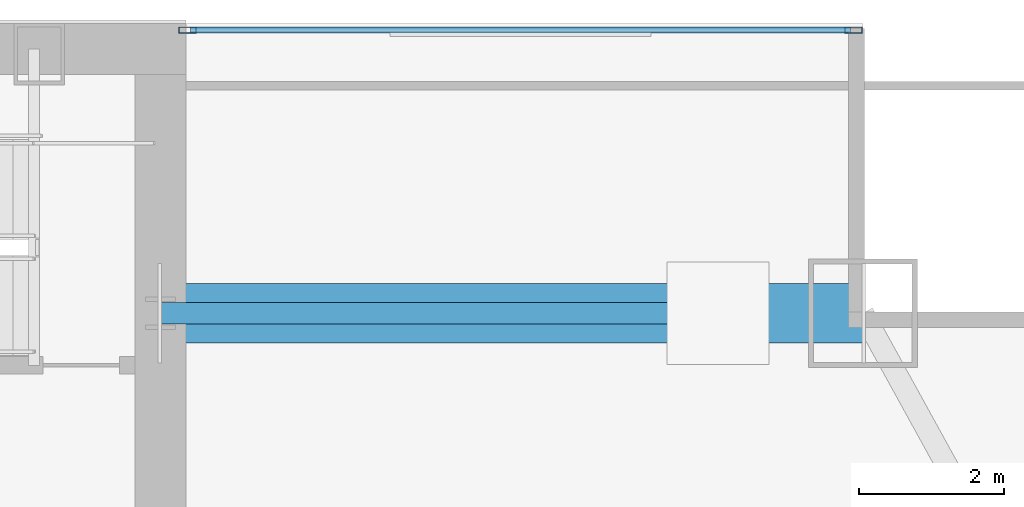
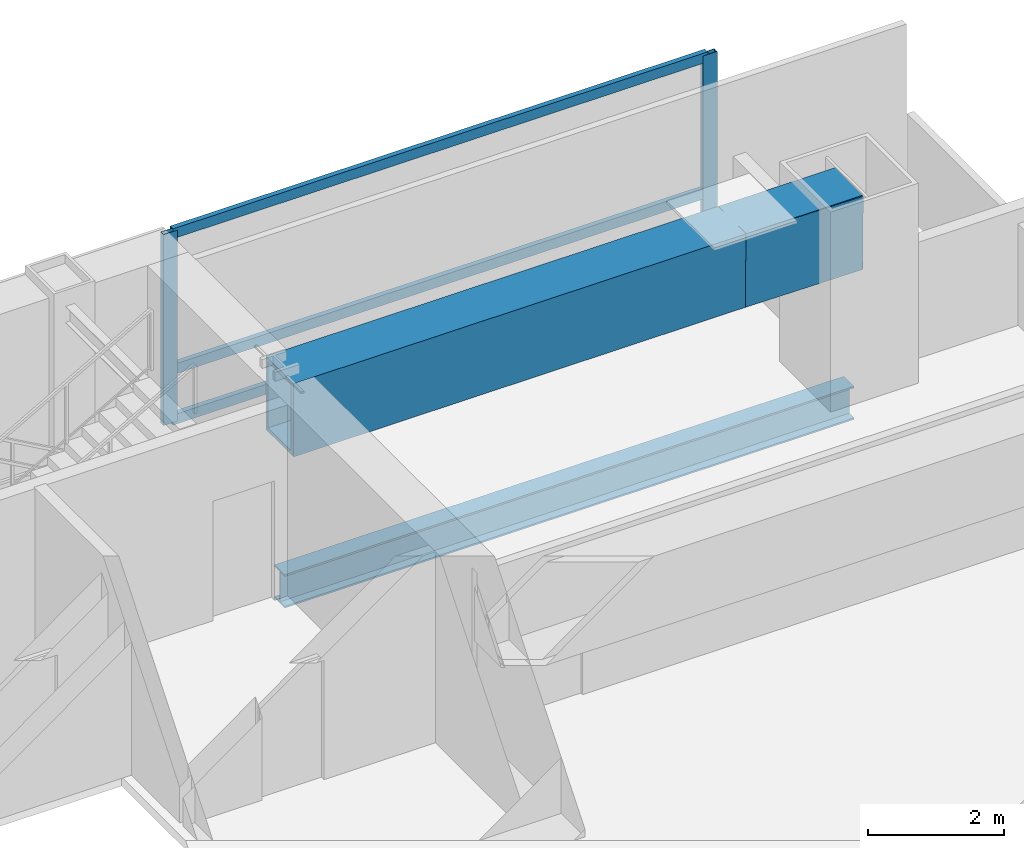
# One storey, part 18 of 30: 5 members, 3 beams, 1 element without a shape of its own.
"""IFC4 building model written with IfcOpenShell, lengths in metres."""

from ifc_helpers import new_model, si_unit, direction, frame, origin, origin_2d, place, context, subcontext, project, spatial, hollow_rectangle, i_section, extrude, material, material_profile, profile_set, type_object, element, aggregate, save


model = new_model("IFC4")

# Units and contexts
model_context = context("Model", 3, precision=1e-05, world=origin(), true_north=direction((0.0, 1.0)))
body_context = subcontext(model_context, "Body", "Model", "MODEL_VIEW")
ifc_project = project(units=[si_unit("LENGTHUNIT", "METRE"), si_unit("AREAUNIT", "SQUARE_METRE"), si_unit("VOLUMEUNIT", "CUBIC_METRE"), si_unit("PLANEANGLEUNIT", "RADIAN"), si_unit("MASSUNIT", "GRAM", prefix="KILO")], contexts=[model_context])

# Site, building, storey
site_placement = place(None, origin())
site = spatial("IfcSite", under=ifc_project, at=site_placement, CompositionType="ELEMENT")
building_placement = place(site_placement, origin())
building = spatial("IfcBuilding", under=site, at=building_placement, Name="Khoronbel Lancet Exchange", CompositionType="ELEMENT")
storey_placement = place(building_placement, frame((0.0, 0.0, 132.60009765625)))
storey = spatial("IfcBuildingStorey", under=building, at=storey_placement, Name="L32", CompositionType="ELEMENT", Elevation=132.60009765625)

# Beams
ifc_material_1 = material(Name="Steel S355", Category="steel")
ifc_material_profile_1 = material_profile(ifc_material_1, i_section(OverallWidth=0.300048828125, OverallDepth=0.60009765625, WebThickness=0.015380859375, FlangeThickness=0.030029296875, at=origin_2d()), Name="HEB 600")
ifc_profile_set_1 = profile_set([ifc_material_profile_1], Name="Steel S355")
beam_type_1 = type_object("IfcBeamType", Name="BM-BSP2", PredefinedType="SPANDREL", material=ifc_profile_set_1)
beam_1_placement = place(storey_placement, frame((66.050048828125, 49.699951171875, -0.460205078125), z_axis=(-1.0, 0.0, 0.0), x_axis=(0.0, -1.0, 0.0)))
element("IfcBeam", 1, at=beam_1_placement, inside=storey, type_object=beam_type_1, Name="Level L32 north flank tie spandrel SP23", PredefinedType="SPANDREL", context=body_context, shape_type="SweptSolid", body=[
    extrude(i_section(OverallWidth=0.300048828125, OverallDepth=0.60009765625, WebThickness=0.015380859375, FlangeThickness=0.030029296875, at=origin_2d()), origin(), (0.0, 0.0, 1.0), 9.699951171875),
])
ifc_material_2 = material(Name="Steel S460", Category="steel")
ifc_material_profile_2 = material_profile(ifc_material_2, hollow_rectangle(XDim=0.820068359375, YDim=1.320068359375, WallThickness=0.070068359375, at=origin_2d()), Name="BOX 820x1320x70")
ifc_profile_set_2 = profile_set([ifc_material_profile_2], Name="Steel S460")
beam_type_2 = type_object("IfcBeamType", Name="BM-TG4", PredefinedType="USERDEFINED", material=ifc_profile_set_2)
beam_2_placement = place(storey_placement, frame((66.050048828125, 49.699951171875, 2.760009765625), z_axis=(-0.999951120325, 0.0, 0.009887212005), x_axis=(0.0, -1.0, 0.0)))
element("IfcBeam", 2, at=beam_2_placement, inside=storey, type_object=beam_type_2, Name="Setback transfer knee-brace girder L32-MC-NE", ObjectType="TRANSFER GIRDER", PredefinedType="USERDEFINED", context=body_context, shape_type="SweptSolid", body=[
    extrude(hollow_rectangle(XDim=0.820068359375, YDim=1.320068359375, WallThickness=0.070068359375, at=origin_2d()), origin(), (0.0, 0.0, 1.0), 2.0),
])
beam_3_placement = place(storey_placement, frame((56.35009765625, 49.699951171875, 2.77978515625), z_axis=(1.0, 0.0, 0.0), x_axis=(0.0, 1.0, 0.0)))
element("IfcBeam", 3, at=beam_3_placement, inside=storey, type_object=beam_type_2, Name="Corner mega-column setback transfer girder L32-NE", ObjectType="TRANSFER GIRDER", PredefinedType="USERDEFINED", context=body_context, shape_type="SweptSolid", body=[
    extrude(hollow_rectangle(XDim=0.820068359375, YDim=1.320068359375, WallThickness=0.070068359375, at=origin_2d()), origin(), (0.0, 0.0, 1.0), 9.699951171875),
])

# Curtain wall, members
ifc_material_3 = material(Name="Low-E Solar Control Insulating Glass", Category="glass")
curtain_wall_type = type_object("IfcCurtainWallType", Name="CW-2", PredefinedType="NOTDEFINED", material=ifc_material_3)
curtain_wall_placement = place(storey_placement, origin())
curtain_wall = element("IfcCurtainWall", 4, at=curtain_wall_placement, inside=storey, type_object=curtain_wall_type, Name="Unitised curtain wall CW-L32-NEFLK", PredefinedType="NOTDEFINED")
ifc_material_4 = material(Name="Bronze-Anodised Aluminium 6063-T6", Category="aluminium")
ifc_material_profile_3 = material_profile(ifc_material_4, hollow_rectangle(XDim=0.0849609375, YDim=0.239990234375, WallThickness=0.006103515625, at=origin_2d()), Name="ALU MULLION 85x240")
ifc_profile_set_3 = profile_set([ifc_material_profile_3], Name="Bronze-Anodised Aluminium 6063-T6")
member_type_1 = type_object("IfcMemberType", Name="MEM-CWM1", PredefinedType="MULLION", material=ifc_profile_set_3)
member_1_placement = place(storey_placement, frame((65.91748046875, 53.610107421875, 0.0), z_axis=(0.0, 0.0, 1.0), x_axis=(0.0, -1.0, 0.0)))
member_1 = element("IfcMember", 5, at=member_1_placement, type_object=member_type_1, Name="CW2 mullion 1", PredefinedType="MULLION", context=body_context, shape_type="SweptSolid", body=[
    extrude(hollow_rectangle(XDim=0.0849609375, YDim=0.239990234375, WallThickness=0.006103515625, at=origin_2d()), origin(), (0.0, 0.0, 1.0), 3.43994140625),
])
member_2_placement = place(storey_placement, frame((56.722412109375, 53.610107421875, 0.0), z_axis=(0.0, 0.0, 1.0), x_axis=(0.0, -1.0, 0.0)))
member_2 = element("IfcMember", 6, at=member_2_placement, type_object=member_type_1, Name="CW2 mullion 2", PredefinedType="MULLION", context=body_context, shape_type="SweptSolid", body=[
    extrude(hollow_rectangle(XDim=0.0849609375, YDim=0.239990234375, WallThickness=0.006103515625, at=origin_2d()), origin(), (0.0, 0.0, 1.0), 3.43994140625),
])
ifc_material_profile_4 = material_profile(ifc_material_4, hollow_rectangle(XDim=0.0849609375, YDim=0.179931640625, WallThickness=0.0048828125, at=origin_2d()), Name="ALU TRANSOM 85x180")
ifc_profile_set_4 = profile_set([ifc_material_profile_4], Name="Bronze-Anodised Aluminium 6063-T6")
member_type_2 = type_object("IfcMemberType", Name="MEM-CWT1", PredefinedType="USERDEFINED", material=ifc_profile_set_4)
member_3_placement = place(storey_placement, frame((65.875, 53.610107421875, 0.04248046875), z_axis=(-1.0, 0.0, 0.0), x_axis=(0.0, -1.0, 0.0)))
member_3 = element("IfcMember", 7, at=member_3_placement, type_object=member_type_2, Name="CW2 transom 1.1", ObjectType="TRANSOM", PredefinedType="USERDEFINED", context=body_context, shape_type="SweptSolid", body=[
    extrude(hollow_rectangle(XDim=0.0849609375, YDim=0.179931640625, WallThickness=0.0048828125, at=origin_2d()), origin(), (0.0, 0.0, 1.0), 9.110107421875),
])
member_4_placement = place(storey_placement, frame((65.875, 53.610107421875, 0.949951171875), z_axis=(-1.0, 0.0, 0.0), x_axis=(0.0, -1.0, 0.0)))
member_4 = element("IfcMember", 8, at=member_4_placement, type_object=member_type_2, Name="CW2 transom 1.2", ObjectType="TRANSOM", PredefinedType="USERDEFINED", context=body_context, shape_type="SweptSolid", body=[
    extrude(hollow_rectangle(XDim=0.0849609375, YDim=0.179931640625, WallThickness=0.0048828125, at=origin_2d()), origin(), (0.0, 0.0, 1.0), 9.110107421875),
])
member_5_placement = place(storey_placement, frame((65.875, 53.610107421875, 3.3974609375), z_axis=(-1.0, 0.0, 0.0), x_axis=(0.0, -1.0, 0.0)))
member_5 = element("IfcMember", 9, at=member_5_placement, type_object=member_type_2, Name="CW2 transom 1.3", ObjectType="TRANSOM", PredefinedType="USERDEFINED", context=body_context, shape_type="SweptSolid", body=[
    extrude(hollow_rectangle(XDim=0.0849609375, YDim=0.179931640625, WallThickness=0.0048828125, at=origin_2d()), origin(), (0.0, 0.0, 1.0), 9.110107421875),
])
aggregate(curtain_wall, [member_1, member_2, member_3, member_4, member_5])

save(model, "model.ifc")
